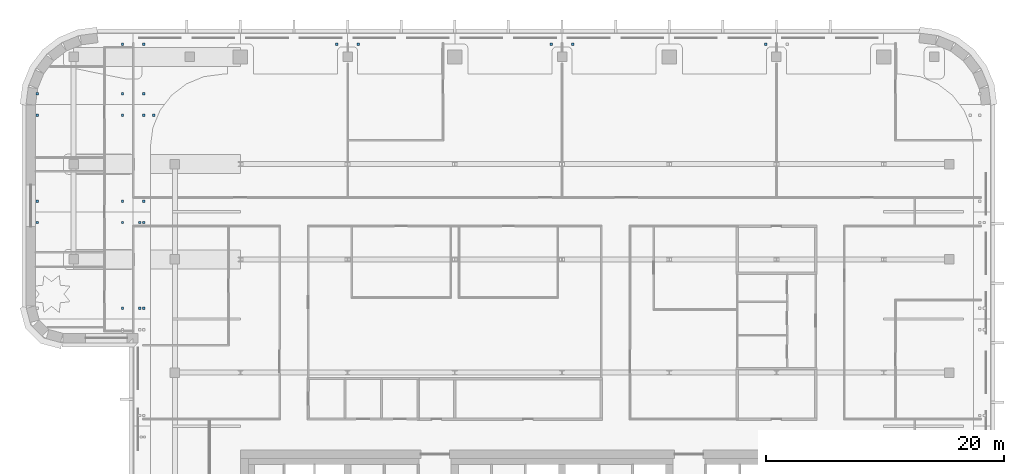
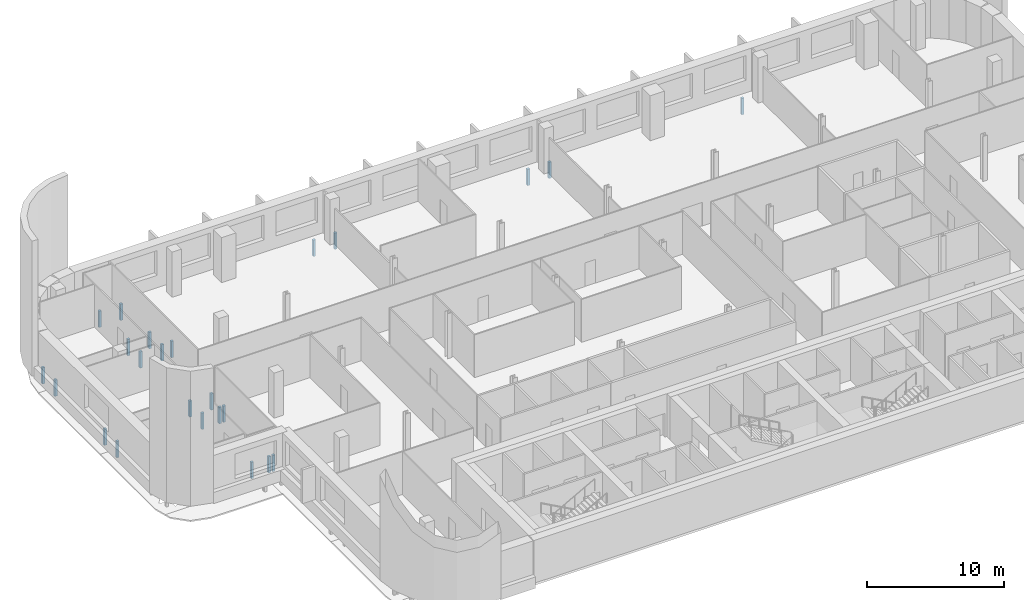
# One storey, part 13 of 19: 24 discrete accessories.
"""IFC4 building model written with IfcOpenShell, lengths in metres."""

from ifc_helpers import new_model, si_unit, direction, frame, origin, origin_2d, place, context, subcontext, project, spatial, rectangle, extrude, material, type_object, element, save


model = new_model("IFC4")

# Units and contexts
model_context = context("Model", 3, precision=1e-05, world=origin(), true_north=direction((0.0, 1.0)))
body_context = subcontext(model_context, "Body", "Model", "MODEL_VIEW")
ifc_project = project(units=[si_unit("LENGTHUNIT", "METRE"), si_unit("AREAUNIT", "SQUARE_METRE"), si_unit("VOLUMEUNIT", "CUBIC_METRE"), si_unit("PLANEANGLEUNIT", "RADIAN"), si_unit("MASSUNIT", "GRAM", prefix="KILO")], contexts=[model_context])

# Site, building, storey
site_placement = place(None, origin())
site = spatial("IfcSite", under=ifc_project, at=site_placement, CompositionType="ELEMENT")
building_placement = place(site_placement, origin())
building = spatial("IfcBuilding", under=site, at=building_placement, Name="Zellij Exchange Tower", CompositionType="ELEMENT")
storey_placement = place(building_placement, frame((0.0, 0.0, 220.5)))
storey = spatial("IfcBuildingStorey", under=building, at=storey_placement, Name="L51", CompositionType="ELEMENT", Elevation=220.5)

# Discrete accessories
ifc_material = material(Name="Stainless steel", Category="steel")
discrete_accessory_type = type_object("IfcDiscreteAccessoryType", Name="ENV-BR1 Stone panel bracket 200", PredefinedType="USERDEFINED", material=ifc_material)
for number, where, z_axis, x_axis, name in (
    (1, (-36.89990234375, 9.89990234375, -1.64990234375), (0.0, 0.0, 1.0), (1.0, 0.0, 0.0), "Panel bracket"),
    (2, (-44.050048828125, 17.10009765625, -1.64990234375), (0.0, 0.0, 1.0), (1.0, 0.0, 0.0), "Panel bracket"),
    (3, (-36.89990234375, 17.10009765625, -1.64990234375), (0.0, 0.0, 1.0), (1.0, 0.0, 0.0), "Panel bracket"),
    (4, (-44.050048828125, 18.89990234375, -1.64990234375), (0.0, 0.0, 1.0), (1.0, 0.0, 0.0), "Panel bracket"),
    (5, (-36.89990234375, 18.89990234375, -1.64990234375), (0.0, 0.0, 1.0), (1.0, 0.0, 0.0), "Panel bracket"),
    (6, (-44.050048828125, 26.10009765625, -1.64990234375), (0.0, 0.0, 1.0), (1.0, 0.0, 0.0), "Panel bracket"),
    (7, (-36.89990234375, 26.10009765625, -1.64990234375), (0.0, 0.0, 1.0), (1.0, 0.0, 0.0), "Panel bracket"),
    (8, (-44.049560546875, 27.89990234375, -1.64990234375), (0.0, 0.0, 1.0), (1.0, 0.0, 0.0), "Panel bracket"),
    (9, (-36.89990234375, 27.89990234375, -1.64990234375), (0.0, 0.0, 1.0), (1.0, 0.0, 0.0), "Panel bracket"),
    (10, (-36.89990234375, 32.050048828125, -1.64990234375), (0.0, 0.0, 1.0), (1.0, 0.0, 0.0), "Panel bracket"),
    (11, (-35.10009765625, 9.89990234375, -1.64990234375), (0.0, 0.0, 1.0), (1.0, 0.0, 0.0), "Panel bracket"),
    (12, (-35.449951171875, 9.89990234375, -1.64990234375), (0.0, 0.0, 1.0), (1.0, 0.0, 0.0), "Panel bracket"),
    (13, (-35.10009765625, 17.10009765625, -1.64990234375), (0.0, 0.0, 1.0), (1.0, 0.0, 0.0), "Panel bracket"),
    (14, (-35.449951171875, 17.10009765625, -1.64990234375), (0.0, 0.0, 1.0), (1.0, 0.0, 0.0), "Panel bracket"),
    (15, (-35.10009765625, 18.89990234375, -1.64990234375), (0.0, 0.0, 1.0), (1.0, 0.0, 0.0), "Panel bracket"),
    (16, (-35.10009765625, 26.10009765625, -1.64990234375), (0.0, 0.0, 1.0), (1.0, 0.0, 0.0), "Panel bracket"),
    (17, (-34.275390625, 26.10009765625, -1.64990234375), (0.0, 0.0, 1.0), (1.0, 0.0, 0.0), "Panel bracket"),
    (18, (-35.10009765625, 27.89990234375, -1.64990234375), (0.0, 0.0, 1.0), (1.0, 0.0, 0.0), "Panel bracket"),
    (19, (-35.10009765625, 32.050048828125, -1.64990234375), (0.0, 0.0, 1.0), (1.0, 0.0, 0.0), "Panel bracket"),
    (20, (-18.89990234375, 32.050048828125, -1.64990234375), (0.0, 0.0, 1.0), (1.0, 0.0, 0.0), "Panel bracket"),
    (21, (-17.10009765625, 32.050048828125, -1.64990234375), (0.0, 0.0, 1.0), (1.0, 0.0, 0.0), "Panel bracket"),
    (22, (-0.89990234375, 32.050048828125, -1.64990234375), (0.0, 0.0, 1.0), (1.0, 0.0, 0.0), "Panel bracket"),
    (23, (0.89990234375, 32.050048828125, -1.64990234375), (0.0, 0.0, 1.0), (1.0, 0.0, 0.0), "Panel bracket"),
    (24, (17.10009765625, 32.050048828125, -1.64990234375), (0.0, 0.0, 1.0), (1.0, 0.0, 0.0), "Panel bracket"),
):
    element("IfcDiscreteAccessory", number, at=place(storey_placement, frame(where, z_axis=z_axis, x_axis=x_axis)), inside=storey, type_object=discrete_accessory_type, Name=name, ObjectType="BRACKET", PredefinedType="USERDEFINED", context=body_context, shape_type="SweptSolid", body=[
        extrude(rectangle(XDim=0.199951171875, YDim=0.199951171875, at=origin_2d()), origin(), (0.0, 0.0, 1.0), 1.449951171875),
    ])

save(model, "model.ifc")
